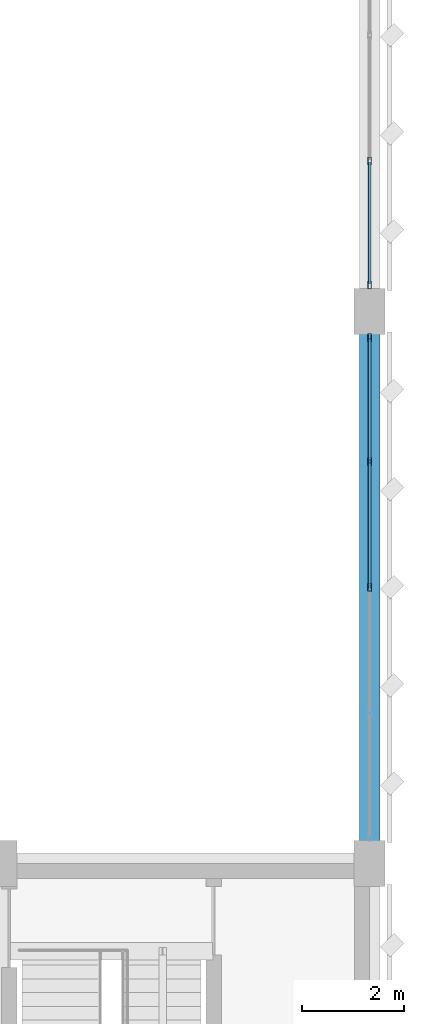
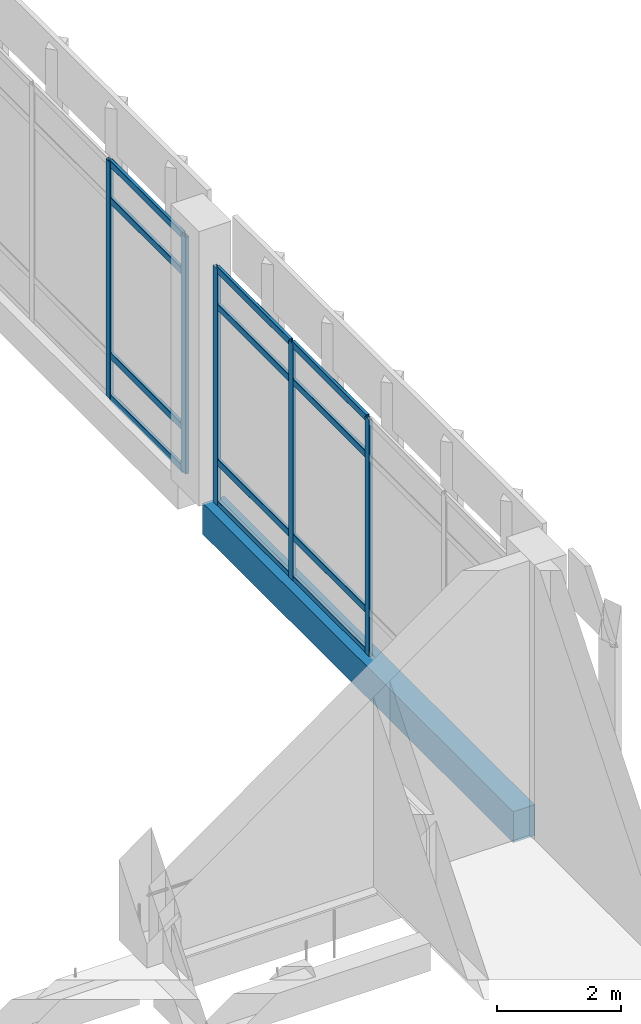
# One storey, part 102 of 180: 17 members, 1 beam, 2 elements without a shape of their own.
"""IFC4 building model written with IfcOpenShell, lengths in metres."""

from ifc_helpers import new_model, si_unit, direction, frame, origin, origin_2d, place, context, subcontext, project, spatial, rectangle, hollow_rectangle, extrude, material, material_profile, profile_set, type_object, element, aggregate, save


model = new_model("IFC4")

# Units and contexts
model_context = context("Model", 3, precision=1e-05, world=origin(), true_north=direction((0.0, 1.0)))
body_context = subcontext(model_context, "Body", "Model", "MODEL_VIEW")
ifc_project = project(units=[si_unit("LENGTHUNIT", "METRE"), si_unit("AREAUNIT", "SQUARE_METRE"), si_unit("VOLUMEUNIT", "CUBIC_METRE"), si_unit("PLANEANGLEUNIT", "RADIAN"), si_unit("MASSUNIT", "GRAM", prefix="KILO")], contexts=[model_context])

# Site, building, storey
site_placement = place(None, origin())
site = spatial("IfcSite", under=ifc_project, at=site_placement, CompositionType="ELEMENT")
building_placement = place(site_placement, origin())
building = spatial("IfcBuilding", under=site, at=building_placement, Name="Lusvemor Sports Hall", CompositionType="ELEMENT")
storey_placement = place(building_placement, frame((0.0, 0.0, 5.39990234375)))
storey = spatial("IfcBuildingStorey", under=building, at=storey_placement, Name="L01", CompositionType="ELEMENT", Elevation=5.39990234375)

# Curtain wall, members
ifc_material_1 = material(Name="Thermally broken bronze-anodized aluminium", Category="aluminium")
curtain_wall_type = type_object("IfcCurtainWallType", Name="CW_COURT_C", PredefinedType="NOTDEFINED", material=ifc_material_1)
curtain_wall_1_placement = place(storey_placement, origin())
curtain_wall_1 = element("IfcCurtainWall", 1, at=curtain_wall_1_placement, inside=storey, type_object=curtain_wall_type, Name="Curtain Wall CW-V2E-L01-1", PredefinedType="NOTDEFINED")
ifc_material_2 = material(Name="Thermally broken bronze-anodized aluminium", Category="aluminium")
ifc_material_profile_1 = material_profile(ifc_material_2, hollow_rectangle(XDim=0.06494140625, YDim=0.14990234375, WallThickness=0.00390625, InnerFilletRadius=0.00390625, OuterFilletRadius=0.008056640625, at=origin_2d()), Name="CWMUL150x65x4")
ifc_profile_set_1 = profile_set([ifc_material_profile_1], Name="Thermally broken bronze-anodized aluminium")
member_type_1 = type_object("IfcMemberType", Name="CW_MUL_B", PredefinedType="MULLION", material=ifc_profile_set_1)
member_1_placement = place(storey_placement, frame((169.199951171875, 17.487548828125, 0.0), z_axis=(0.0, 0.0, 1.0), x_axis=(1.0, 0.0, 0.0)))
member_1 = element("IfcMember", 2, at=member_1_placement, type_object=member_type_1, Name="CW03 mullion 1", PredefinedType="MULLION", context=body_context, shape_type="SweptSolid", body=[
    extrude(hollow_rectangle(XDim=0.06494140625, YDim=0.14990234375, WallThickness=0.00390625, InnerFilletRadius=0.00390625, OuterFilletRadius=0.008056640625, at=origin_2d()), origin(), (0.0, 0.0, 1.0), 4.650146484375),
])
member_2_placement = place(storey_placement, frame((169.199951171875, 15.06005859375, 0.0), z_axis=(0.0, 0.0, 1.0), x_axis=(1.0, 0.0, 0.0)))
member_2 = element("IfcMember", 3, at=member_2_placement, type_object=member_type_1, Name="CW03 mullion 2", PredefinedType="MULLION", context=body_context, shape_type="SweptSolid", body=[
    extrude(hollow_rectangle(XDim=0.06494140625, YDim=0.14990234375, WallThickness=0.00390625, InnerFilletRadius=0.00390625, OuterFilletRadius=0.008056640625, at=origin_2d()), origin(), (0.0, 0.0, 1.0), 4.650146484375),
])
member_3_placement = place(storey_placement, frame((169.199951171875, 12.60009765625, 0.0), z_axis=(0.0, 0.0, 1.0), x_axis=(1.0, 0.0, 0.0)))
member_3 = element("IfcMember", 4, at=member_3_placement, type_object=member_type_1, Name="CW03 mullion 3", PredefinedType="MULLION", context=body_context, shape_type="SweptSolid", body=[
    extrude(hollow_rectangle(XDim=0.06494140625, YDim=0.14990234375, WallThickness=0.00390625, InnerFilletRadius=0.00390625, OuterFilletRadius=0.008056640625, at=origin_2d()), origin(), (0.0, 0.0, 1.0), 4.650146484375),
])

curtain_wall_2_placement = place(storey_placement, origin())
curtain_wall_2 = element("IfcCurtainWall", 5, at=curtain_wall_2_placement, inside=storey, type_object=curtain_wall_type, Name="Curtain Wall CW-V2E-L01-2", PredefinedType="NOTDEFINED")
member_4_placement = place(storey_placement, frame((169.199951171875, 20.93994140625, 0.0), z_axis=(0.0, 0.0, 1.0), x_axis=(1.0, 0.0, 0.0)))
member_4 = element("IfcMember", 6, at=member_4_placement, type_object=member_type_1, Name="CW03 mullion 4", PredefinedType="MULLION", context=body_context, shape_type="SweptSolid", body=[
    extrude(hollow_rectangle(XDim=0.06494140625, YDim=0.14990234375, WallThickness=0.00390625, InnerFilletRadius=0.00390625, OuterFilletRadius=0.008056640625, at=origin_2d()), origin(), (0.0, 0.0, 1.0), 4.650146484375),
])
member_5_placement = place(storey_placement, frame((169.199951171875, 18.512451171875, 0.0), z_axis=(0.0, 0.0, 1.0), x_axis=(1.0, 0.0, 0.0)))
member_5 = element("IfcMember", 7, at=member_5_placement, type_object=member_type_1, Name="CW03 mullion 5", PredefinedType="MULLION", context=body_context, shape_type="SweptSolid", body=[
    extrude(hollow_rectangle(XDim=0.06494140625, YDim=0.14990234375, WallThickness=0.00390625, InnerFilletRadius=0.00390625, OuterFilletRadius=0.008056640625, at=origin_2d()), origin(), (0.0, 0.0, 1.0), 4.650146484375),
])

# Member
ifc_material_3 = material(Name="Thermally broken bronze-anodized aluminium", Category="aluminium")
ifc_material_profile_2 = material_profile(ifc_material_3, hollow_rectangle(XDim=0.06005859375, YDim=0.135009765625, WallThickness=0.00390625, InnerFilletRadius=0.00390625, OuterFilletRadius=0.008056640625, at=origin_2d()), Name="CWTRN135x60x4")
ifc_profile_set_2 = profile_set([ifc_material_profile_2], Name="Thermally broken bronze-anodized aluminium")
member_type_2 = type_object("IfcMemberType", Name="CW_TRN_B", PredefinedType="USERDEFINED", material=ifc_profile_set_2)
member_6_placement = place(storey_placement, frame((169.199951171875, 17.455078125, 0.030029296875), z_axis=(0.0, -1.0, 0.0), x_axis=(1.0, 0.0, 0.0)))
member_6 = element("IfcMember", 8, at=member_6_placement, type_object=member_type_2, Name="CW03 transom 1.1", ObjectType="TRANSOM", PredefinedType="USERDEFINED", context=body_context, shape_type="SweptSolid", body=[
    extrude(hollow_rectangle(XDim=0.06005859375, YDim=0.135009765625, WallThickness=0.00390625, InnerFilletRadius=0.00390625, OuterFilletRadius=0.008056640625, at=origin_2d()), origin(), (0.0, 0.0, 1.0), 2.362548828125),
])

member_7_placement = place(storey_placement, frame((169.199951171875, 17.455078125, 0.85009765625), z_axis=(0.0, -1.0, 0.0), x_axis=(1.0, 0.0, 0.0)))
member_7 = element("IfcMember", 9, at=member_7_placement, type_object=member_type_2, Name="CW03 transom 1.2", ObjectType="TRANSOM", PredefinedType="USERDEFINED", context=body_context, shape_type="SweptSolid", body=[
    extrude(hollow_rectangle(XDim=0.06005859375, YDim=0.135009765625, WallThickness=0.00390625, InnerFilletRadius=0.00390625, OuterFilletRadius=0.008056640625, at=origin_2d()), origin(), (0.0, 0.0, 1.0), 2.362548828125),
])

member_8_placement = place(storey_placement, frame((169.199951171875, 17.455078125, 3.900146484375), z_axis=(0.0, -1.0, 0.0), x_axis=(1.0, 0.0, 0.0)))
member_8 = element("IfcMember", 10, at=member_8_placement, type_object=member_type_2, Name="CW03 transom 1.3", ObjectType="TRANSOM", PredefinedType="USERDEFINED", context=body_context, shape_type="SweptSolid", body=[
    extrude(hollow_rectangle(XDim=0.06005859375, YDim=0.135009765625, WallThickness=0.00390625, InnerFilletRadius=0.00390625, OuterFilletRadius=0.008056640625, at=origin_2d()), origin(), (0.0, 0.0, 1.0), 2.362548828125),
])

member_9_placement = place(storey_placement, frame((169.199951171875, 17.455078125, 4.6201171875), z_axis=(0.0, -1.0, 0.0), x_axis=(1.0, 0.0, 0.0)))
member_9 = element("IfcMember", 11, at=member_9_placement, type_object=member_type_2, Name="CW03 transom 1.4", ObjectType="TRANSOM", PredefinedType="USERDEFINED", context=body_context, shape_type="SweptSolid", body=[
    extrude(hollow_rectangle(XDim=0.06005859375, YDim=0.135009765625, WallThickness=0.00390625, InnerFilletRadius=0.00390625, OuterFilletRadius=0.008056640625, at=origin_2d()), origin(), (0.0, 0.0, 1.0), 2.362548828125),
])

member_10_placement = place(storey_placement, frame((169.199951171875, 15.027587890625, 0.030029296875), z_axis=(0.0, -1.0, 0.0), x_axis=(1.0, 0.0, 0.0)))
member_10 = element("IfcMember", 12, at=member_10_placement, type_object=member_type_2, Name="CW03 transom 2.1", ObjectType="TRANSOM", PredefinedType="USERDEFINED", context=body_context, shape_type="SweptSolid", body=[
    extrude(hollow_rectangle(XDim=0.06005859375, YDim=0.135009765625, WallThickness=0.00390625, InnerFilletRadius=0.00390625, OuterFilletRadius=0.008056640625, at=origin_2d()), origin(), (0.0, 0.0, 1.0), 2.39501953125),
])

member_11_placement = place(storey_placement, frame((169.199951171875, 15.027587890625, 0.85009765625), z_axis=(0.0, -1.0, 0.0), x_axis=(1.0, 0.0, 0.0)))
member_11 = element("IfcMember", 13, at=member_11_placement, type_object=member_type_2, Name="CW03 transom 2.2", ObjectType="TRANSOM", PredefinedType="USERDEFINED", context=body_context, shape_type="SweptSolid", body=[
    extrude(hollow_rectangle(XDim=0.06005859375, YDim=0.135009765625, WallThickness=0.00390625, InnerFilletRadius=0.00390625, OuterFilletRadius=0.008056640625, at=origin_2d()), origin(), (0.0, 0.0, 1.0), 2.39501953125),
])

member_12_placement = place(storey_placement, frame((169.199951171875, 15.027587890625, 3.900146484375), z_axis=(0.0, -1.0, 0.0), x_axis=(1.0, 0.0, 0.0)))
member_12 = element("IfcMember", 14, at=member_12_placement, type_object=member_type_2, Name="CW03 transom 2.3", ObjectType="TRANSOM", PredefinedType="USERDEFINED", context=body_context, shape_type="SweptSolid", body=[
    extrude(hollow_rectangle(XDim=0.06005859375, YDim=0.135009765625, WallThickness=0.00390625, InnerFilletRadius=0.00390625, OuterFilletRadius=0.008056640625, at=origin_2d()), origin(), (0.0, 0.0, 1.0), 2.39501953125),
])

member_13_placement = place(storey_placement, frame((169.199951171875, 15.027587890625, 4.6201171875), z_axis=(0.0, -1.0, 0.0), x_axis=(1.0, 0.0, 0.0)))
member_13 = element("IfcMember", 15, at=member_13_placement, type_object=member_type_2, Name="CW03 transom 2.4", ObjectType="TRANSOM", PredefinedType="USERDEFINED", context=body_context, shape_type="SweptSolid", body=[
    extrude(hollow_rectangle(XDim=0.06005859375, YDim=0.135009765625, WallThickness=0.00390625, InnerFilletRadius=0.00390625, OuterFilletRadius=0.008056640625, at=origin_2d()), origin(), (0.0, 0.0, 1.0), 2.39501953125),
])

aggregate(curtain_wall_1, [member_1, member_2, member_3, member_6, member_7, member_8, member_9, member_10, member_11, member_12, member_13])

member_14_placement = place(storey_placement, frame((169.199951171875, 20.907470703125, 0.030029296875), z_axis=(0.0, -1.0, 0.0), x_axis=(1.0, 0.0, 0.0)))
member_14 = element("IfcMember", 16, at=member_14_placement, type_object=member_type_2, Name="CW03 transom 4.1", ObjectType="TRANSOM", PredefinedType="USERDEFINED", context=body_context, shape_type="SweptSolid", body=[
    extrude(hollow_rectangle(XDim=0.06005859375, YDim=0.135009765625, WallThickness=0.00390625, InnerFilletRadius=0.00390625, OuterFilletRadius=0.008056640625, at=origin_2d()), origin(), (0.0, 0.0, 1.0), 2.362548828125),
])

member_15_placement = place(storey_placement, frame((169.199951171875, 20.907470703125, 0.85009765625), z_axis=(0.0, -1.0, 0.0), x_axis=(1.0, 0.0, 0.0)))
member_15 = element("IfcMember", 17, at=member_15_placement, type_object=member_type_2, Name="CW03 transom 4.2", ObjectType="TRANSOM", PredefinedType="USERDEFINED", context=body_context, shape_type="SweptSolid", body=[
    extrude(hollow_rectangle(XDim=0.06005859375, YDim=0.135009765625, WallThickness=0.00390625, InnerFilletRadius=0.00390625, OuterFilletRadius=0.008056640625, at=origin_2d()), origin(), (0.0, 0.0, 1.0), 2.362548828125),
])

member_16_placement = place(storey_placement, frame((169.199951171875, 20.907470703125, 3.900146484375), z_axis=(0.0, -1.0, 0.0), x_axis=(1.0, 0.0, 0.0)))
member_16 = element("IfcMember", 18, at=member_16_placement, type_object=member_type_2, Name="CW03 transom 4.3", ObjectType="TRANSOM", PredefinedType="USERDEFINED", context=body_context, shape_type="SweptSolid", body=[
    extrude(hollow_rectangle(XDim=0.06005859375, YDim=0.135009765625, WallThickness=0.00390625, InnerFilletRadius=0.00390625, OuterFilletRadius=0.008056640625, at=origin_2d()), origin(), (0.0, 0.0, 1.0), 2.362548828125),
])

member_17_placement = place(storey_placement, frame((169.199951171875, 20.907470703125, 4.6201171875), z_axis=(0.0, -1.0, 0.0), x_axis=(1.0, 0.0, 0.0)))
member_17 = element("IfcMember", 19, at=member_17_placement, type_object=member_type_2, Name="CW03 transom 4.4", ObjectType="TRANSOM", PredefinedType="USERDEFINED", context=body_context, shape_type="SweptSolid", body=[
    extrude(hollow_rectangle(XDim=0.06005859375, YDim=0.135009765625, WallThickness=0.00390625, InnerFilletRadius=0.00390625, OuterFilletRadius=0.008056640625, at=origin_2d()), origin(), (0.0, 0.0, 1.0), 2.362548828125),
])

aggregate(curtain_wall_2, [member_4, member_5, member_14, member_15, member_16, member_17])

# Beam
ifc_material_4 = material(Name="Concrete C40/50", Category="concrete")
ifc_material_profile_3 = material_profile(ifc_material_4, rectangle(XDim=0.39990234375, YDim=0.610107421875, at=origin_2d()), Name="RC400x610")
ifc_profile_set_3 = profile_set([ifc_material_profile_3], Name="Concrete C40/50")
beam_type = type_object("IfcBeamType", Name="SPAND_EXT_650", PredefinedType="SPANDREL", material=ifc_profile_set_3)
beam_placement = place(storey_placement, frame((169.199951171875, 7.60009765625, -0.304931640625), z_axis=(0.0, 1.0, 0.0), x_axis=(-1.0, 0.0, 0.0)))
element("IfcBeam", 20, at=beam_placement, inside=storey, type_object=beam_type, Name="East Court Facade Girt L01-1", PredefinedType="SPANDREL", context=body_context, shape_type="SweptSolid", body=[
    extrude(rectangle(XDim=0.39990234375, YDim=0.610107421875, at=origin_2d()), origin(), (0.0, 0.0, 1.0), 10.0),
])

save(model, "model.ifc")
